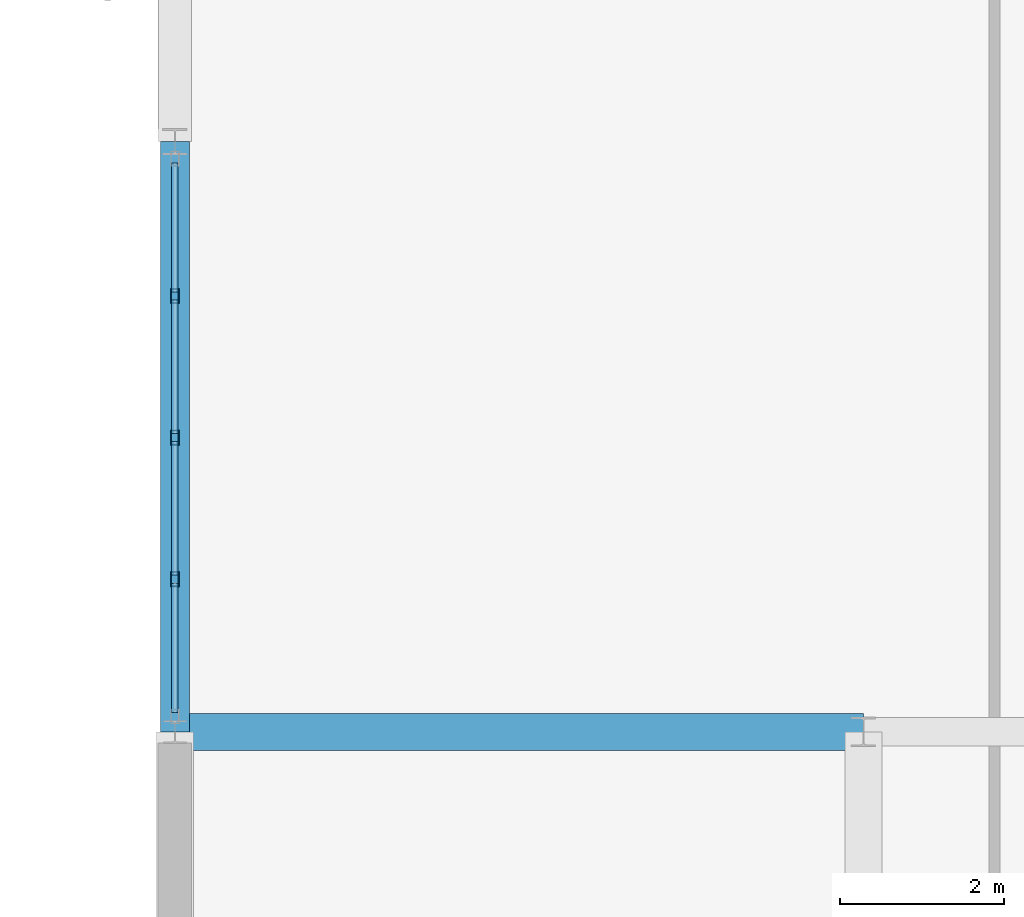
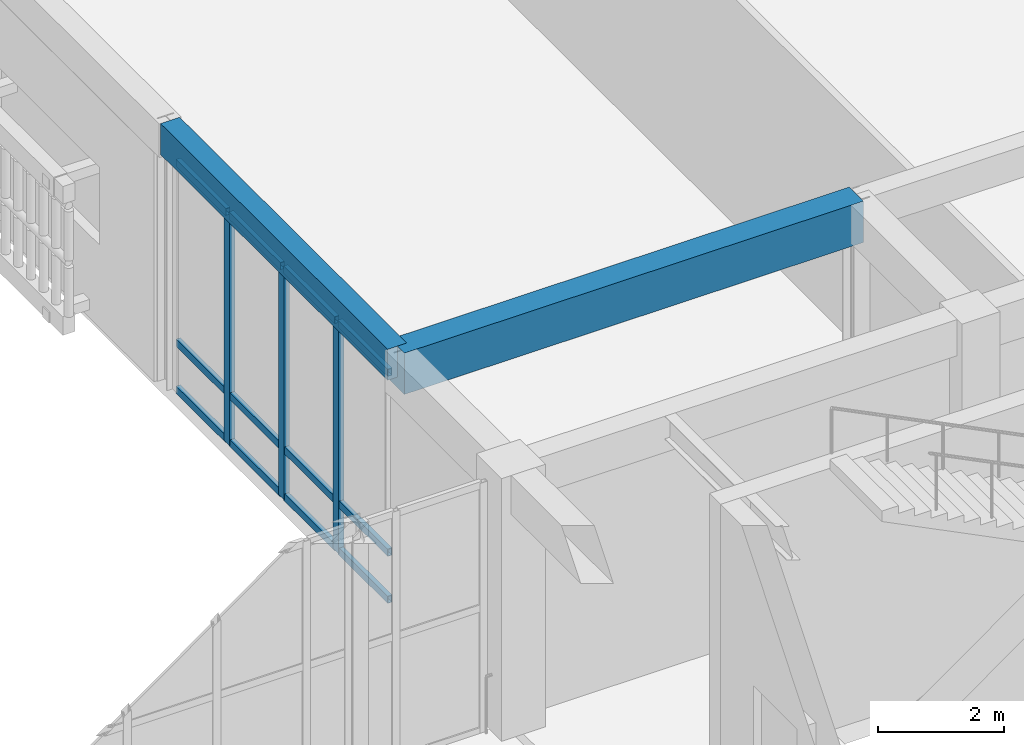
# One storey, part 67 of 169: 15 members, 2 beams, 1 element without a shape of its own.
"""IFC4 building model written with IfcOpenShell, lengths in metres."""

from ifc_helpers import new_model, si_unit, direction, frame, origin, origin_2d, place, context, subcontext, project, spatial, rectangle, hollow_rectangle, extrude, material, layer, layer_set, material_profile, profile_set, type_object, element, aggregate, save


model = new_model("IFC4")

# Units and contexts
model_context = context("Model", 3, precision=1e-05, world=origin(), true_north=direction((0.0, 1.0)))
body_context = subcontext(model_context, "Body", "Model", "MODEL_VIEW")
ifc_project = project(units=[si_unit("LENGTHUNIT", "METRE"), si_unit("AREAUNIT", "SQUARE_METRE"), si_unit("VOLUMEUNIT", "CUBIC_METRE"), si_unit("PLANEANGLEUNIT", "RADIAN"), si_unit("MASSUNIT", "GRAM", prefix="KILO")], contexts=[model_context])

# Site, building, storey
site_placement = place(None, origin())
site = spatial("IfcSite", under=ifc_project, at=site_placement, CompositionType="ELEMENT")
building_placement = place(site_placement, origin())
building = spatial("IfcBuilding", under=site, at=building_placement, Name="Mazaris Harbour Polytechnic", CompositionType="ELEMENT")
storey_placement = place(building_placement, origin())
storey = spatial("IfcBuildingStorey", under=building, at=storey_placement, Name="L00", CompositionType="ELEMENT", Elevation=0.0)

# Curtain wall, members
ifc_material_1 = material(Name="Anodised Bronze Aluminium and Low-E Glass", Category="aluminium")
ifc_layer = layer(ifc_material_1, 0.14990234375, Name="Anodised Bronze Aluminium and Low-E Glass")
ifc_layer_set = layer_set([ifc_layer], Name="Anodised Bronze Aluminium and Low-E Glass")
curtain_wall_type = type_object("IfcCurtainWallType", Name="Workshop Clerestory Curtain Wall", PredefinedType="NOTDEFINED", material=ifc_layer_set)
curtain_wall_placement = place(storey_placement, origin())
curtain_wall = element("IfcCurtainWall", 1, at=curtain_wall_placement, inside=storey, type_object=curtain_wall_type, Name="V1 L00 Curtain Wall 7", PredefinedType="NOTDEFINED")
ifc_material_2 = material(Name="Anodised Bronze Steel S355", Category="steel")
ifc_material_profile_1 = material_profile(ifc_material_2, hollow_rectangle(XDim=0.10009765625, YDim=0.179931640625, WallThickness=0.008056640625, at=origin_2d()), Name="RHS 100x180x8.0")
ifc_profile_set_1 = profile_set([ifc_material_profile_1], Name="Anodised Bronze Steel S355")
member_type_1 = type_object("IfcMemberType", Name="Curtain Mullion RHS100x180", PredefinedType="MULLION", material=ifc_profile_set_1)
member_1_placement = place(storey_placement, frame((54.0, 88.263427734375, 0.0), z_axis=(0.0, 0.0, 1.0), x_axis=(-1.0, 0.0, 0.0)))
member_1 = element("IfcMember", 2, at=member_1_placement, type_object=member_type_1, Name="CW-04 mullion 2", PredefinedType="MULLION", context=body_context, shape_type="SweptSolid", body=[
    extrude(hollow_rectangle(XDim=0.10009765625, YDim=0.179931640625, WallThickness=0.008056640625, at=origin_2d()), origin(), (0.0, 0.0, 1.0), 4.469970703125),
])
member_2_placement = place(storey_placement, frame((54.0, 89.989990234375, 0.0), z_axis=(0.0, 0.0, 1.0), x_axis=(-1.0, 0.0, 0.0)))
member_2 = element("IfcMember", 3, at=member_2_placement, type_object=member_type_1, Name="CW-04 mullion 3", PredefinedType="MULLION", context=body_context, shape_type="SweptSolid", body=[
    extrude(hollow_rectangle(XDim=0.10009765625, YDim=0.179931640625, WallThickness=0.008056640625, at=origin_2d()), origin(), (0.0, 0.0, 1.0), 4.469970703125),
])
member_3_placement = place(storey_placement, frame((54.0, 91.716552734375, 0.0), z_axis=(0.0, 0.0, 1.0), x_axis=(-1.0, 0.0, 0.0)))
member_3 = element("IfcMember", 4, at=member_3_placement, type_object=member_type_1, Name="CW-04 mullion 4", PredefinedType="MULLION", context=body_context, shape_type="SweptSolid", body=[
    extrude(hollow_rectangle(XDim=0.10009765625, YDim=0.179931640625, WallThickness=0.008056640625, at=origin_2d()), origin(), (0.0, 0.0, 1.0), 4.469970703125),
])
ifc_material_3 = material(Name="Anodised Bronze Steel S355", Category="steel")
ifc_material_profile_2 = material_profile(ifc_material_3, hollow_rectangle(XDim=0.080078125, YDim=0.139892578125, WallThickness=0.00634765625, at=origin_2d()), Name="RHS 80x140x6.3")
ifc_profile_set_2 = profile_set([ifc_material_profile_2], Name="Anodised Bronze Steel S355")
member_type_2 = type_object("IfcMemberType", Name="Curtain Transom RHS80x140", PredefinedType="USERDEFINED", material=ifc_profile_set_2)
member_4_placement = place(storey_placement, frame((54.0, 86.636962890625, 0.0400390625), z_axis=(0.0, 1.0, 0.0), x_axis=(-1.0, 0.0, 0.0)))
member_4 = element("IfcMember", 5, at=member_4_placement, type_object=member_type_2, Name="CW-04 transom 1.1", ObjectType="TRANSOM", PredefinedType="USERDEFINED", context=body_context, shape_type="SweptSolid", body=[
    extrude(hollow_rectangle(XDim=0.080078125, YDim=0.139892578125, WallThickness=0.00634765625, at=origin_2d()), origin(), (0.0, 0.0, 1.0), 1.576416015625),
])
member_5_placement = place(storey_placement, frame((54.0, 86.636962890625, 0.949951171875), z_axis=(0.0, 1.0, 0.0), x_axis=(-1.0, 0.0, 0.0)))
member_5 = element("IfcMember", 6, at=member_5_placement, type_object=member_type_2, Name="CW-04 transom 1.2", ObjectType="TRANSOM", PredefinedType="USERDEFINED", context=body_context, shape_type="SweptSolid", body=[
    extrude(hollow_rectangle(XDim=0.080078125, YDim=0.139892578125, WallThickness=0.00634765625, at=origin_2d()), origin(), (0.0, 0.0, 1.0), 1.576416015625),
])
member_6_placement = place(storey_placement, frame((54.0, 86.636962890625, 4.429931640625), z_axis=(0.0, 1.0, 0.0), x_axis=(-1.0, 0.0, 0.0)))
member_6 = element("IfcMember", 7, at=member_6_placement, type_object=member_type_2, Name="CW-04 transom 1.3", ObjectType="TRANSOM", PredefinedType="USERDEFINED", context=body_context, shape_type="SweptSolid", body=[
    extrude(hollow_rectangle(XDim=0.080078125, YDim=0.139892578125, WallThickness=0.00634765625, at=origin_2d()), origin(), (0.0, 0.0, 1.0), 1.576416015625),
])
member_7_placement = place(storey_placement, frame((54.0, 88.3134765625, 0.0400390625), z_axis=(0.0, 1.0, 0.0), x_axis=(-1.0, 0.0, 0.0)))
member_7 = element("IfcMember", 8, at=member_7_placement, type_object=member_type_2, Name="CW-04 transom 2.1", ObjectType="TRANSOM", PredefinedType="USERDEFINED", context=body_context, shape_type="SweptSolid", body=[
    extrude(hollow_rectangle(XDim=0.080078125, YDim=0.139892578125, WallThickness=0.00634765625, at=origin_2d()), origin(), (0.0, 0.0, 1.0), 1.62646484375),
])
member_8_placement = place(storey_placement, frame((54.0, 88.3134765625, 0.949951171875), z_axis=(0.0, 1.0, 0.0), x_axis=(-1.0, 0.0, 0.0)))
member_8 = element("IfcMember", 9, at=member_8_placement, type_object=member_type_2, Name="CW-04 transom 2.2", ObjectType="TRANSOM", PredefinedType="USERDEFINED", context=body_context, shape_type="SweptSolid", body=[
    extrude(hollow_rectangle(XDim=0.080078125, YDim=0.139892578125, WallThickness=0.00634765625, at=origin_2d()), origin(), (0.0, 0.0, 1.0), 1.62646484375),
])
member_9_placement = place(storey_placement, frame((54.0, 88.3134765625, 4.429931640625), z_axis=(0.0, 1.0, 0.0), x_axis=(-1.0, 0.0, 0.0)))
member_9 = element("IfcMember", 10, at=member_9_placement, type_object=member_type_2, Name="CW-04 transom 2.3", ObjectType="TRANSOM", PredefinedType="USERDEFINED", context=body_context, shape_type="SweptSolid", body=[
    extrude(hollow_rectangle(XDim=0.080078125, YDim=0.139892578125, WallThickness=0.00634765625, at=origin_2d()), origin(), (0.0, 0.0, 1.0), 1.62646484375),
])
member_10_placement = place(storey_placement, frame((54.0, 90.0400390625, 0.0400390625), z_axis=(0.0, 1.0, 0.0), x_axis=(-1.0, 0.0, 0.0)))
member_10 = element("IfcMember", 11, at=member_10_placement, type_object=member_type_2, Name="CW-04 transom 3.1", ObjectType="TRANSOM", PredefinedType="USERDEFINED", context=body_context, shape_type="SweptSolid", body=[
    extrude(hollow_rectangle(XDim=0.080078125, YDim=0.139892578125, WallThickness=0.00634765625, at=origin_2d()), origin(), (0.0, 0.0, 1.0), 1.62646484375),
])
member_11_placement = place(storey_placement, frame((54.0, 90.0400390625, 0.949951171875), z_axis=(0.0, 1.0, 0.0), x_axis=(-1.0, 0.0, 0.0)))
member_11 = element("IfcMember", 12, at=member_11_placement, type_object=member_type_2, Name="CW-04 transom 3.2", ObjectType="TRANSOM", PredefinedType="USERDEFINED", context=body_context, shape_type="SweptSolid", body=[
    extrude(hollow_rectangle(XDim=0.080078125, YDim=0.139892578125, WallThickness=0.00634765625, at=origin_2d()), origin(), (0.0, 0.0, 1.0), 1.62646484375),
])
member_12_placement = place(storey_placement, frame((54.0, 90.0400390625, 4.429931640625), z_axis=(0.0, 1.0, 0.0), x_axis=(-1.0, 0.0, 0.0)))
member_12 = element("IfcMember", 13, at=member_12_placement, type_object=member_type_2, Name="CW-04 transom 3.3", ObjectType="TRANSOM", PredefinedType="USERDEFINED", context=body_context, shape_type="SweptSolid", body=[
    extrude(hollow_rectangle(XDim=0.080078125, YDim=0.139892578125, WallThickness=0.00634765625, at=origin_2d()), origin(), (0.0, 0.0, 1.0), 1.62646484375),
])
member_13_placement = place(storey_placement, frame((54.0, 91.7666015625, 0.0400390625), z_axis=(0.0, 1.0, 0.0), x_axis=(-1.0, 0.0, 0.0)))
member_13 = element("IfcMember", 14, at=member_13_placement, type_object=member_type_2, Name="CW-04 transom 4.1", ObjectType="TRANSOM", PredefinedType="USERDEFINED", context=body_context, shape_type="SweptSolid", body=[
    extrude(hollow_rectangle(XDim=0.080078125, YDim=0.139892578125, WallThickness=0.00634765625, at=origin_2d()), origin(), (0.0, 0.0, 1.0), 1.576416015625),
])
member_14_placement = place(storey_placement, frame((54.0, 91.7666015625, 0.949951171875), z_axis=(0.0, 1.0, 0.0), x_axis=(-1.0, 0.0, 0.0)))
member_14 = element("IfcMember", 15, at=member_14_placement, type_object=member_type_2, Name="CW-04 transom 4.2", ObjectType="TRANSOM", PredefinedType="USERDEFINED", context=body_context, shape_type="SweptSolid", body=[
    extrude(hollow_rectangle(XDim=0.080078125, YDim=0.139892578125, WallThickness=0.00634765625, at=origin_2d()), origin(), (0.0, 0.0, 1.0), 1.576416015625),
])
member_15_placement = place(storey_placement, frame((54.0, 91.7666015625, 4.429931640625), z_axis=(0.0, 1.0, 0.0), x_axis=(-1.0, 0.0, 0.0)))
member_15 = element("IfcMember", 16, at=member_15_placement, type_object=member_type_2, Name="CW-04 transom 4.3", ObjectType="TRANSOM", PredefinedType="USERDEFINED", context=body_context, shape_type="SweptSolid", body=[
    extrude(hollow_rectangle(XDim=0.080078125, YDim=0.139892578125, WallThickness=0.00634765625, at=origin_2d()), origin(), (0.0, 0.0, 1.0), 1.576416015625),
])
aggregate(curtain_wall, [member_1, member_2, member_3, member_4, member_5, member_6, member_7, member_8, member_9, member_10, member_11, member_12, member_13, member_14, member_15])

# Beams
ifc_material_4 = material(Name="Concrete C35/45", Category="concrete")
ifc_material_profile_3 = material_profile(ifc_material_4, rectangle(XDim=0.35009765625, YDim=0.60009765625, at=origin_2d()), Name="RECT350x600")
ifc_profile_set_3 = profile_set([ifc_material_profile_3], Name="Concrete C35/45")
beam_type_1 = type_object("IfcBeamType", Name="RC Girder 350x600 Exterior", PredefinedType="BEAM", material=ifc_profile_set_3)
beam_1_placement = place(storey_placement, frame((54.0, 86.39990234375, 4.780029296875), z_axis=(0.0, 1.0, 0.0), x_axis=(-1.0, 0.0, 0.0)))
element("IfcBeam", 17, at=beam_1_placement, inside=storey, type_object=beam_type_1, Name="V1 L00 Tie Girder 205", PredefinedType="BEAM", context=body_context, shape_type="SweptSolid", body=[
    extrude(rectangle(XDim=0.35009765625, YDim=0.60009765625, at=origin_2d()), origin(), (0.0, 0.0, 1.0), 7.2001953125),
])
ifc_material_5 = material(Name="Concrete C40/50", Category="concrete")
ifc_material_profile_4 = material_profile(ifc_material_5, rectangle(XDim=0.449951171875, YDim=0.800048828125, at=origin_2d()), Name="RECT450x800")
ifc_profile_set_4 = profile_set([ifc_material_profile_4], Name="Concrete C40/50")
beam_type_2 = type_object("IfcBeamType", Name="RC Girder 450x800", PredefinedType="BEAM", material=ifc_profile_set_4)
beam_2_placement = place(storey_placement, frame((54.0, 86.39990234375, 4.679931640625), z_axis=(1.0, 0.0, 0.0), x_axis=(0.0, 1.0, 0.0)))
element("IfcBeam", 18, at=beam_2_placement, inside=storey, type_object=beam_type_2, Name="V1 L00 Girder 189", PredefinedType="BEAM", context=body_context, shape_type="SweptSolid", body=[
    extrude(rectangle(XDim=0.449951171875, YDim=0.800048828125, at=origin_2d()), origin(), (0.0, 0.0, 1.0), 8.39990234375),
])

save(model, "model.ifc")
